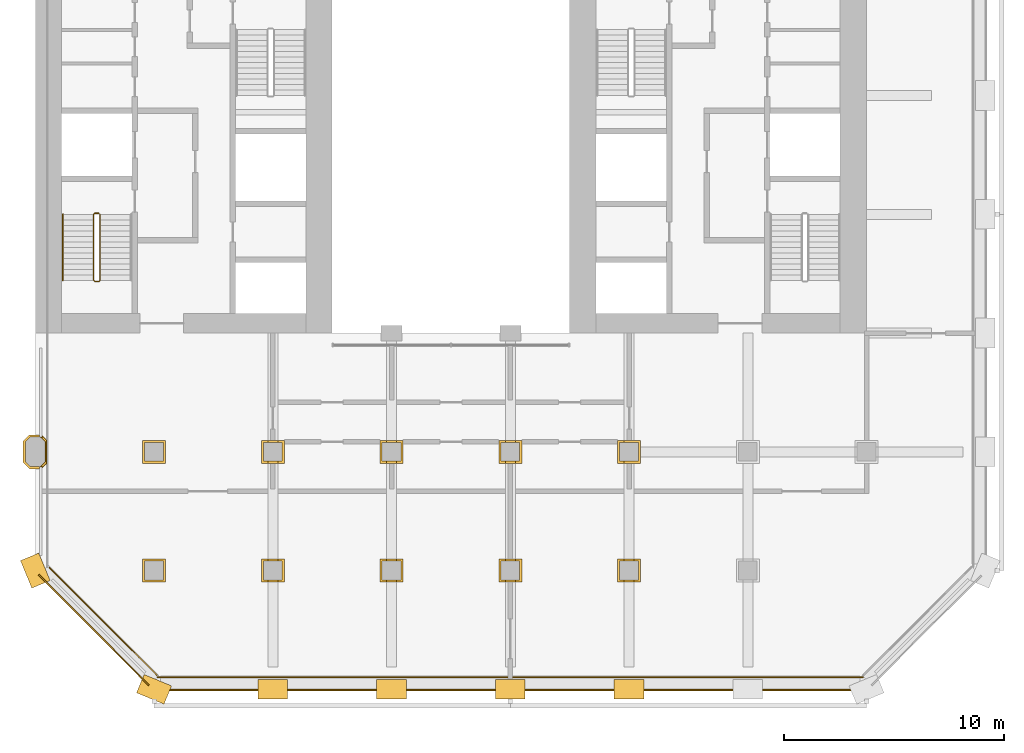
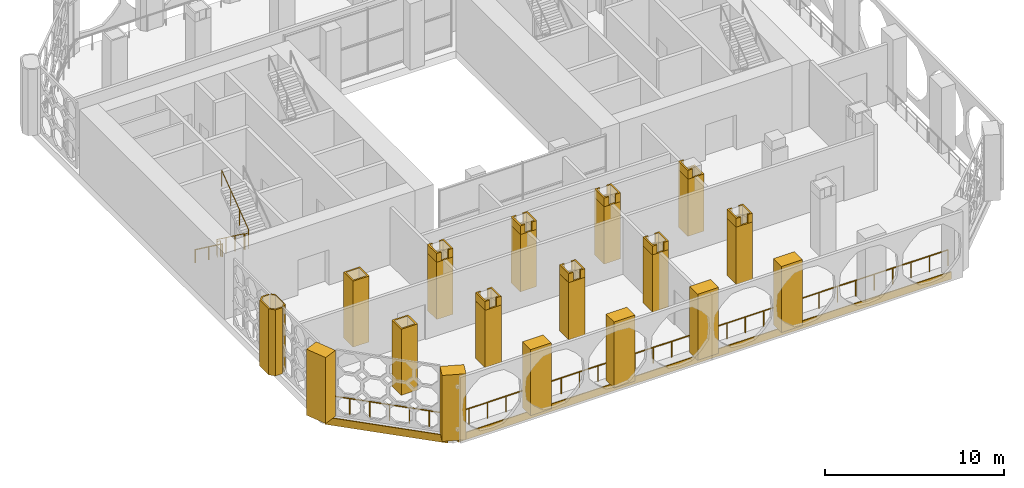
# One storey, part 11 of 14: 35 coverings, 4 railings.
"""IFC4 building model written with IfcOpenShell, lengths in metres."""

from ifc_helpers import new_model, si_unit, direction, frame, frame_2d, origin, origin_2d, place, context, subcontext, project, spatial, polyline, rectangle, circle, outline, extrude, material, layer, layer_set, type_object, element, save


model = new_model("IFC4")

# Units and contexts
model_context = context("Model", 3, precision=1e-05, world=origin(), true_north=direction((0.0, 1.0)))
body_context = subcontext(model_context, "Body", "Model", "MODEL_VIEW")
ifc_project = project(units=[si_unit("LENGTHUNIT", "METRE"), si_unit("AREAUNIT", "SQUARE_METRE"), si_unit("VOLUMEUNIT", "CUBIC_METRE"), si_unit("PLANEANGLEUNIT", "RADIAN"), si_unit("MASSUNIT", "GRAM", prefix="KILO")], contexts=[model_context])

# Site, building, storey
site_placement = place(None, origin())
site = spatial("IfcSite", under=ifc_project, at=site_placement, CompositionType="ELEMENT")
building_placement = place(site_placement, origin())
building = spatial("IfcBuilding", under=site, at=building_placement, Name="Tabaq Tower and Sports Hall", CompositionType="ELEMENT")
storey_placement = place(building_placement, frame((0.0, 0.0, 175.89990234375)))
storey = spatial("IfcBuildingStorey", under=building, at=storey_placement, Name="L42", CompositionType="ELEMENT", Elevation=175.89990234375)

# Coverings
ifc_material_1 = material(Name="Precast concrete C60/75", Category="concrete")
ifc_layer_1 = layer(ifc_material_1, 0.10009765625)
ifc_layer_set_1 = layer_set([ifc_layer_1], Name="Column cladding 100")
covering_type_1 = type_object("IfcCoveringType", Name="Column cladding 100", PredefinedType="CLADDING", material=ifc_layer_set_1)
covering_1_placement = place(storey_placement, origin())
element("IfcCovering", 1, at=covering_1_placement, inside=storey, type_object=covering_type_1, Name="Column cladding L42 PC-2C-H1", PredefinedType="CLADDING", context=body_context, shape_type="SweptSolid", body=[
    extrude(outline(polyline([(5.1337890625, 10.025390625), (4.850341796875, 10.30859375), (4.850341796875, 11.291259765625), (5.1337890625, 11.57470703125), (5.589599609375, 11.57470703125), (5.589599609375, 11.475341796875), (5.1748046875, 11.475341796875), (4.94970703125, 11.250244140625), (4.94970703125, 10.349853515625), (5.1748046875, 10.124755859375), (5.589599609375, 10.124755859375), (5.589599609375, 10.025390625), (5.1337890625, 10.025390625)])), origin(), (0.0, 0.0, 1.0), 4.5),
])
covering_2_placement = place(storey_placement, origin())
element("IfcCovering", 2, at=covering_2_placement, inside=storey, type_object=covering_type_1, Name="Column cladding L42 PC-2C-H1 2", PredefinedType="CLADDING", context=body_context, shape_type="SweptSolid", body=[
    extrude(outline(polyline([(5.90966796875, 11.331298828125), (5.90966796875, 10.268798828125), (5.710205078125, 10.0693359375), (5.710205078125, 10.125244140625), (5.625732421875, 10.125244140625), (5.850341796875, 10.349853515625), (5.850341796875, 11.250244140625), (5.625732421875, 11.474609375), (5.710205078125, 11.474609375), (5.710205078125, 11.53076171875), (5.90966796875, 11.331298828125)])), origin(), (0.0, 0.0, 1.0), 4.5),
])
covering_3_placement = place(storey_placement, origin())
element("IfcCovering", 3, at=covering_3_placement, inside=storey, type_object=covering_type_1, Name="Column cladding L42 CC-3B-H1", PredefinedType="CLADDING", context=body_context, shape_type="SweptSolid", body=[
    extrude(outline(polyline([(10.275390625, 5.9248046875), (11.32470703125, 5.9248046875), (11.32470703125, 4.875244140625), (10.275390625, 4.875244140625), (10.275390625, 5.9248046875)]), holes=[polyline([(11.225341796875, 4.974609375), (11.225341796875, 5.8251953125), (10.374755859375, 5.8251953125), (10.374755859375, 4.974609375), (11.225341796875, 4.974609375)])]), origin(), (0.0, 0.0, 1.0), 4.5),
])
covering_4_placement = place(storey_placement, origin())
element("IfcCovering", 4, at=covering_4_placement, inside=storey, type_object=covering_type_1, Name="Column cladding L42 CC-3C-H1", PredefinedType="CLADDING", context=body_context, shape_type="SweptSolid", body=[
    extrude(outline(polyline([(10.275390625, 11.32470703125), (11.32470703125, 11.32470703125), (11.32470703125, 10.275390625), (10.275390625, 10.275390625), (10.275390625, 11.32470703125)]), holes=[polyline([(11.225341796875, 10.374755859375), (11.225341796875, 11.225341796875), (10.374755859375, 11.225341796875), (10.374755859375, 10.374755859375), (11.225341796875, 10.374755859375)])]), origin(), (0.0, 0.0, 1.0), 4.5),
])
covering_5_placement = place(storey_placement, origin())
element("IfcCovering", 5, at=covering_5_placement, inside=storey, type_object=covering_type_1, Name="Column cladding L42 CC-4B-H1", PredefinedType="CLADDING", context=body_context, shape_type="SweptSolid", body=[
    extrude(outline(polyline([(15.67529296875, 5.9248046875), (16.724609375, 5.9248046875), (16.724609375, 4.875244140625), (15.67529296875, 4.875244140625), (15.67529296875, 5.9248046875)]), holes=[polyline([(16.625244140625, 4.974609375), (16.625244140625, 5.8251953125), (15.774658203125, 5.8251953125), (15.774658203125, 4.974609375), (16.625244140625, 4.974609375)])]), origin(), (0.0, 0.0, 1.0), 3.900146484375),
])
covering_6_placement = place(storey_placement, frame((0.0, 0.0, 3.900146484375)))
element("IfcCovering", 6, at=covering_6_placement, inside=storey, type_object=covering_type_1, Name="Column cladding L42 CC-4B-H1 head", PredefinedType="CLADDING", context=body_context, shape_type="SweptSolid", body=[
    extrude(outline(polyline([(16.425537109375, 4.974365234375), (16.62548828125, 4.974365234375), (16.62548828125, 5.82568359375), (16.425537109375, 5.82568359375), (16.425537109375, 5.92431640625), (16.724365234375, 5.92431640625), (16.724365234375, 4.87548828125), (16.425537109375, 4.87548828125), (16.425537109375, 4.974365234375)])), origin(), (0.0, 0.0, 1.0), 0.599853515625),
])
covering_7_placement = place(storey_placement, frame((0.0, 0.0, 3.900146484375)))
element("IfcCovering", 7, at=covering_7_placement, inside=storey, type_object=covering_type_1, Name="Column cladding L42 CC-4B-H1 head 2", PredefinedType="CLADDING", context=body_context, shape_type="SweptSolid", body=[
    extrude(outline(polyline([(15.974365234375, 4.974365234375), (15.974365234375, 4.87548828125), (15.675537109375, 4.87548828125), (15.675537109375, 5.92431640625), (15.974365234375, 5.92431640625), (15.974365234375, 5.82568359375), (15.7744140625, 5.82568359375), (15.7744140625, 4.974365234375), (15.974365234375, 4.974365234375)])), origin(), (0.0, 0.0, 1.0), 0.599853515625),
])
covering_8_placement = place(storey_placement, origin())
element("IfcCovering", 8, at=covering_8_placement, inside=storey, type_object=covering_type_1, Name="Column cladding L42 CC-4C-H1", PredefinedType="CLADDING", context=body_context, shape_type="SweptSolid", body=[
    extrude(outline(polyline([(15.67529296875, 11.32470703125), (16.724609375, 11.32470703125), (16.724609375, 10.275390625), (15.67529296875, 10.275390625), (15.67529296875, 11.32470703125)]), holes=[polyline([(16.625244140625, 10.374755859375), (16.625244140625, 11.225341796875), (15.774658203125, 11.225341796875), (15.774658203125, 10.374755859375), (16.625244140625, 10.374755859375)])]), origin(), (0.0, 0.0, 1.0), 3.900146484375),
])
covering_9_placement = place(storey_placement, frame((0.0, 0.0, 3.900146484375)))
element("IfcCovering", 9, at=covering_9_placement, inside=storey, type_object=covering_type_1, Name="Column cladding L42 CC-4C-H1 head", PredefinedType="CLADDING", context=body_context, shape_type="SweptSolid", body=[
    extrude(outline(polyline([(16.724609375, 11.32470703125), (16.724609375, 10.275390625), (16.42529296875, 10.275390625), (16.42529296875, 10.374755859375), (16.625244140625, 10.374755859375), (16.625244140625, 11.225341796875), (16.42529296875, 11.225341796875), (16.42529296875, 11.32470703125), (16.724609375, 11.32470703125)])), origin(), (0.0, 0.0, 1.0), 0.599853515625),
])
covering_10_placement = place(storey_placement, frame((0.0, 0.0, 3.900146484375)))
element("IfcCovering", 10, at=covering_10_placement, inside=storey, type_object=covering_type_1, Name="Column cladding L42 CC-4C-H1 head 2", PredefinedType="CLADDING", context=body_context, shape_type="SweptSolid", body=[
    extrude(outline(polyline([(15.974609375, 11.32470703125), (15.974609375, 11.225341796875), (15.774658203125, 11.225341796875), (15.774658203125, 10.374755859375), (15.974609375, 10.374755859375), (15.974609375, 10.275390625), (15.67529296875, 10.275390625), (15.67529296875, 11.32470703125), (15.974609375, 11.32470703125)])), origin(), (0.0, 0.0, 1.0), 0.599853515625),
])
covering_11_placement = place(storey_placement, origin())
element("IfcCovering", 11, at=covering_11_placement, inside=storey, type_object=covering_type_1, Name="Column cladding L42 CC-5B-H1", PredefinedType="CLADDING", context=body_context, shape_type="SweptSolid", body=[
    extrude(outline(polyline([(21.0751953125, 5.9248046875), (22.124755859375, 5.9248046875), (22.124755859375, 4.875244140625), (21.0751953125, 4.875244140625), (21.0751953125, 5.9248046875)]), holes=[polyline([(22.025390625, 4.974609375), (22.025390625, 5.8251953125), (21.1748046875, 5.8251953125), (21.1748046875, 4.974609375), (22.025390625, 4.974609375)])]), origin(), (0.0, 0.0, 1.0), 3.900146484375),
])
covering_12_placement = place(storey_placement, frame((0.0, 0.0, 3.900146484375)))
element("IfcCovering", 12, at=covering_12_placement, inside=storey, type_object=covering_type_1, Name="Column cladding L42 CC-5B-H1 head", PredefinedType="CLADDING", context=body_context, shape_type="SweptSolid", body=[
    extrude(outline(polyline([(21.82568359375, 4.974365234375), (22.025634765625, 4.974365234375), (22.025634765625, 5.82568359375), (21.82568359375, 5.82568359375), (21.82568359375, 5.92431640625), (22.12451171875, 5.92431640625), (22.12451171875, 4.87548828125), (21.82568359375, 4.87548828125), (21.82568359375, 4.974365234375)])), origin(), (0.0, 0.0, 1.0), 0.599853515625),
])
covering_13_placement = place(storey_placement, frame((0.0, 0.0, 3.900146484375)))
element("IfcCovering", 13, at=covering_13_placement, inside=storey, type_object=covering_type_1, Name="Column cladding L42 CC-5B-H1 head 2", PredefinedType="CLADDING", context=body_context, shape_type="SweptSolid", body=[
    extrude(outline(polyline([(21.37451171875, 4.974365234375), (21.37451171875, 4.87548828125), (21.07568359375, 4.87548828125), (21.07568359375, 5.92431640625), (21.37451171875, 5.92431640625), (21.37451171875, 5.82568359375), (21.17431640625, 5.82568359375), (21.17431640625, 4.974365234375), (21.37451171875, 4.974365234375)])), origin(), (0.0, 0.0, 1.0), 0.599853515625),
])
covering_14_placement = place(storey_placement, origin())
element("IfcCovering", 14, at=covering_14_placement, inside=storey, type_object=covering_type_1, Name="Column cladding L42 CC-5C-H1", PredefinedType="CLADDING", context=body_context, shape_type="SweptSolid", body=[
    extrude(outline(polyline([(21.0751953125, 11.32470703125), (22.124755859375, 11.32470703125), (22.124755859375, 10.275390625), (21.0751953125, 10.275390625), (21.0751953125, 11.32470703125)]), holes=[polyline([(22.025390625, 10.374755859375), (22.025390625, 11.225341796875), (21.1748046875, 11.225341796875), (21.1748046875, 10.374755859375), (22.025390625, 10.374755859375)])]), origin(), (0.0, 0.0, 1.0), 3.900146484375),
])
covering_15_placement = place(storey_placement, frame((0.0, 0.0, 3.900146484375)))
element("IfcCovering", 15, at=covering_15_placement, inside=storey, type_object=covering_type_1, Name="Column cladding L42 CC-5C-H1 head", PredefinedType="CLADDING", context=body_context, shape_type="SweptSolid", body=[
    extrude(outline(polyline([(21.374755859375, 11.32470703125), (21.374755859375, 11.225341796875), (21.1748046875, 11.225341796875), (21.1748046875, 10.374755859375), (21.374755859375, 10.374755859375), (21.374755859375, 10.275390625), (21.0751953125, 10.275390625), (21.0751953125, 11.32470703125), (21.374755859375, 11.32470703125)])), origin(), (0.0, 0.0, 1.0), 0.599853515625),
])
covering_16_placement = place(storey_placement, frame((0.0, 0.0, 3.900146484375)))
element("IfcCovering", 16, at=covering_16_placement, inside=storey, type_object=covering_type_1, Name="Column cladding L42 CC-5C-H1 head 2", PredefinedType="CLADDING", context=body_context, shape_type="SweptSolid", body=[
    extrude(outline(polyline([(22.124755859375, 11.32470703125), (22.124755859375, 10.275390625), (21.8251953125, 10.275390625), (21.8251953125, 10.374755859375), (22.025390625, 10.374755859375), (22.025390625, 11.225341796875), (21.8251953125, 11.225341796875), (21.8251953125, 11.32470703125), (22.124755859375, 11.32470703125)])), origin(), (0.0, 0.0, 1.0), 0.599853515625),
])
covering_17_placement = place(storey_placement, origin())
element("IfcCovering", 17, at=covering_17_placement, inside=storey, type_object=covering_type_1, Name="Column cladding L42 CC-6B-H1", PredefinedType="CLADDING", context=body_context, shape_type="SweptSolid", body=[
    extrude(outline(polyline([(26.475341796875, 5.9248046875), (27.524658203125, 5.9248046875), (27.524658203125, 4.875244140625), (26.475341796875, 4.875244140625), (26.475341796875, 5.9248046875)]), holes=[polyline([(27.42529296875, 4.974609375), (27.42529296875, 5.8251953125), (26.57470703125, 5.8251953125), (26.57470703125, 4.974609375), (27.42529296875, 4.974609375)])]), origin(), (0.0, 0.0, 1.0), 3.900146484375),
])
covering_18_placement = place(storey_placement, frame((0.0, 0.0, 3.900146484375)))
element("IfcCovering", 18, at=covering_18_placement, inside=storey, type_object=covering_type_1, Name="Column cladding L42 CC-6B-H1 head", PredefinedType="CLADDING", context=body_context, shape_type="SweptSolid", body=[
    extrude(outline(polyline([(27.2255859375, 4.974365234375), (27.425537109375, 4.974365234375), (27.425537109375, 5.82568359375), (27.2255859375, 5.82568359375), (27.2255859375, 5.92431640625), (27.5244140625, 5.92431640625), (27.5244140625, 4.87548828125), (27.2255859375, 4.87548828125), (27.2255859375, 4.974365234375)])), origin(), (0.0, 0.0, 1.0), 0.599853515625),
])
covering_19_placement = place(storey_placement, frame((0.0, 0.0, 3.900146484375)))
element("IfcCovering", 19, at=covering_19_placement, inside=storey, type_object=covering_type_1, Name="Column cladding L42 CC-6B-H1 head 2", PredefinedType="CLADDING", context=body_context, shape_type="SweptSolid", body=[
    extrude(outline(polyline([(26.7744140625, 4.974365234375), (26.7744140625, 4.87548828125), (26.4755859375, 4.87548828125), (26.4755859375, 5.92431640625), (26.7744140625, 5.92431640625), (26.7744140625, 5.82568359375), (26.574462890625, 5.82568359375), (26.574462890625, 4.974365234375), (26.7744140625, 4.974365234375)])), origin(), (0.0, 0.0, 1.0), 0.599853515625),
])
covering_20_placement = place(storey_placement, origin())
element("IfcCovering", 20, at=covering_20_placement, inside=storey, type_object=covering_type_1, Name="Column cladding L42 CC-6C-H1", PredefinedType="CLADDING", context=body_context, shape_type="SweptSolid", body=[
    extrude(outline(polyline([(26.475341796875, 11.32470703125), (27.524658203125, 11.32470703125), (27.524658203125, 10.275390625), (26.475341796875, 10.275390625), (26.475341796875, 11.32470703125)]), holes=[polyline([(27.42529296875, 10.374755859375), (27.42529296875, 11.225341796875), (26.57470703125, 11.225341796875), (26.57470703125, 10.374755859375), (27.42529296875, 10.374755859375)])]), origin(), (0.0, 0.0, 1.0), 3.900146484375),
])
covering_21_placement = place(storey_placement, frame((0.0, 0.0, 3.900146484375)))
element("IfcCovering", 21, at=covering_21_placement, inside=storey, type_object=covering_type_1, Name="Column cladding L42 CC-6C-H1 head", PredefinedType="CLADDING", context=body_context, shape_type="SweptSolid", body=[
    extrude(outline(polyline([(26.774658203125, 11.32470703125), (26.774658203125, 11.225341796875), (26.57470703125, 11.225341796875), (26.57470703125, 10.374755859375), (26.774658203125, 10.374755859375), (26.774658203125, 10.275390625), (26.475341796875, 10.275390625), (26.475341796875, 11.32470703125), (26.774658203125, 11.32470703125)])), origin(), (0.0, 0.0, 1.0), 0.599853515625),
])
covering_22_placement = place(storey_placement, frame((0.0, 0.0, 3.900146484375)))
element("IfcCovering", 22, at=covering_22_placement, inside=storey, type_object=covering_type_1, Name="Column cladding L42 CC-6C-H1 head 2", PredefinedType="CLADDING", context=body_context, shape_type="SweptSolid", body=[
    extrude(outline(polyline([(27.524658203125, 11.32470703125), (27.524658203125, 10.275390625), (27.225341796875, 10.275390625), (27.225341796875, 10.374755859375), (27.42529296875, 10.374755859375), (27.42529296875, 11.225341796875), (27.225341796875, 11.225341796875), (27.225341796875, 11.32470703125), (27.524658203125, 11.32470703125)])), origin(), (0.0, 0.0, 1.0), 0.599853515625),
])
covering_23_placement = place(storey_placement, origin())
element("IfcCovering", 23, at=covering_23_placement, inside=storey, type_object=covering_type_1, Name="Column cladding L42 CC-7B-H1", PredefinedType="CLADDING", context=body_context, shape_type="SweptSolid", body=[
    extrude(outline(polyline([(31.875244140625, 5.9248046875), (32.9248046875, 5.9248046875), (32.9248046875, 4.875244140625), (31.875244140625, 4.875244140625), (31.875244140625, 5.9248046875)]), holes=[polyline([(32.8251953125, 4.974609375), (32.8251953125, 5.8251953125), (31.974609375, 5.8251953125), (31.974609375, 4.974609375), (32.8251953125, 4.974609375)])]), origin(), (0.0, 0.0, 1.0), 3.900146484375),
])
covering_24_placement = place(storey_placement, frame((0.0, 0.0, 3.900146484375)))
element("IfcCovering", 24, at=covering_24_placement, inside=storey, type_object=covering_type_1, Name="Column cladding L42 CC-7B-H1 head", PredefinedType="CLADDING", context=body_context, shape_type="SweptSolid", body=[
    extrude(outline(polyline([(32.62548828125, 4.974365234375), (32.82568359375, 4.974365234375), (32.82568359375, 5.82568359375), (32.62548828125, 5.82568359375), (32.62548828125, 5.92431640625), (32.92431640625, 5.92431640625), (32.92431640625, 4.87548828125), (32.62548828125, 4.87548828125), (32.62548828125, 4.974365234375)])), origin(), (0.0, 0.0, 1.0), 0.599853515625),
])
covering_25_placement = place(storey_placement, frame((0.0, 0.0, 3.900146484375)))
element("IfcCovering", 25, at=covering_25_placement, inside=storey, type_object=covering_type_1, Name="Column cladding L42 CC-7B-H1 head 2", PredefinedType="CLADDING", context=body_context, shape_type="SweptSolid", body=[
    extrude(outline(polyline([(32.17431640625, 4.974365234375), (32.17431640625, 4.87548828125), (31.87548828125, 4.87548828125), (31.87548828125, 5.92431640625), (32.17431640625, 5.92431640625), (32.17431640625, 5.82568359375), (31.974365234375, 5.82568359375), (31.974365234375, 4.974365234375), (32.17431640625, 4.974365234375)])), origin(), (0.0, 0.0, 1.0), 0.599853515625),
])
covering_26_placement = place(storey_placement, origin())
element("IfcCovering", 26, at=covering_26_placement, inside=storey, type_object=covering_type_1, Name="Column cladding L42 CC-7C-H1", PredefinedType="CLADDING", context=body_context, shape_type="SweptSolid", body=[
    extrude(outline(polyline([(31.875244140625, 11.32470703125), (32.9248046875, 11.32470703125), (32.9248046875, 10.275390625), (31.875244140625, 10.275390625), (31.875244140625, 11.32470703125)]), holes=[polyline([(32.8251953125, 10.374755859375), (32.8251953125, 11.225341796875), (31.974609375, 11.225341796875), (31.974609375, 10.374755859375), (32.8251953125, 10.374755859375)])]), origin(), (0.0, 0.0, 1.0), 3.900146484375),
])
covering_27_placement = place(storey_placement, frame((0.0, 0.0, 3.900146484375)))
element("IfcCovering", 27, at=covering_27_placement, inside=storey, type_object=covering_type_1, Name="Column cladding L42 CC-7C-H1 head", PredefinedType="CLADDING", context=body_context, shape_type="SweptSolid", body=[
    extrude(outline(polyline([(32.1748046875, 11.32470703125), (32.1748046875, 11.225341796875), (31.974609375, 11.225341796875), (31.974609375, 10.374755859375), (32.1748046875, 10.374755859375), (32.1748046875, 10.275390625), (31.875244140625, 10.275390625), (31.875244140625, 11.32470703125), (32.1748046875, 11.32470703125)])), origin(), (0.0, 0.0, 1.0), 0.599853515625),
])
ifc_material_2 = material(Name="Precast concrete C60/75", Category="concrete")
ifc_layer_2 = layer(ifc_material_2, 0.06005859375)
ifc_layer_set_2 = layer_set([ifc_layer_2], Name="Edge beam cladding 60")
covering_type_2 = type_object("IfcCoveringType", Name="Edge beam cladding 60", PredefinedType="CLADDING", material=ifc_layer_set_2)
covering_28_placement = place(storey_placement, frame((11.0986328125, -0.030029296875, -0.5), z_axis=(0.0, 0.0, 1.0), x_axis=(1.0, 0.0, 0.0)))
element("IfcCovering", 28, at=covering_28_placement, inside=storey, type_object=covering_type_2, Name="Edge beam cladding L42 1", PredefinedType="CLADDING", context=body_context, shape_type="SweptSolid", body=[
    extrude(rectangle(XDim=31.802734375, YDim=0.06005859375, at=frame_2d((15.9013671875, 0.0))), origin(), (0.0, 0.0, 1.0), 0.5),
])
covering_29_placement = place(storey_placement, frame((5.5556640625, 5.201904296875, -0.5), z_axis=(0.0, 0.0, 1.0), x_axis=(0.707106781187, -0.707106781187, 0.0)))
element("IfcCovering", 29, at=covering_29_placement, inside=storey, type_object=covering_type_2, Name="Edge beam cladding L42 5", PredefinedType="CLADDING", context=body_context, shape_type="SweptSolid", body=[
    extrude(rectangle(XDim=7.087890625, YDim=0.06005859375, at=frame_2d((3.5439453125, 0.0))), origin(), (0.0, 0.0, 1.0), 0.5),
])

# Railings
ifc_material_3 = material(Name="Stainless steel S316 and laminated glass", Category="steel")
railing_type_1 = type_object("IfcRailingType", Name="Guard 1100 steel and glass", PredefinedType="GUARDRAIL", material=ifc_material_3)
railing_1_placement = place(storey_placement, frame((10.965576171875, 0.550048828125, 0.0)))
element("IfcRailing", 30, at=railing_1_placement, inside=storey, type_object=railing_type_1, Name="Guard L42 S", PredefinedType="GUARDRAIL", context=body_context, shape_type="SweptSolid", body=[
    extrude(circle(Radius=0.02490234375, at=origin_2d()), frame((0.0, 0.0, 1.0751953125), z_axis=(1.0, 0.0, 0.0), x_axis=(0.0, 1.0, 0.0)), (0.0, 0.0, 1.0), 32.06884765625),
    extrude(circle(Radius=0.02001953125, at=origin_2d()), origin(), (0.0, 0.0, 1.0), 1.050048828125),
    extrude(circle(Radius=0.02001953125, at=origin_2d()), frame((1.187744140625, 0.0, 0.0)), (0.0, 0.0, 1.0), 1.050048828125),
    extrude(circle(Radius=0.02001953125, at=origin_2d()), frame((2.37548828125, 0.0, 0.0)), (0.0, 0.0, 1.0), 1.050048828125),
    extrude(circle(Radius=0.02001953125, at=origin_2d()), frame((3.563232421875, 0.0, 0.0)), (0.0, 0.0, 1.0), 1.050048828125),
    extrude(circle(Radius=0.02001953125, at=origin_2d()), frame((4.7509765625, 0.0, 0.0)), (0.0, 0.0, 1.0), 1.050048828125),
    extrude(circle(Radius=0.02001953125, at=origin_2d()), frame((5.938720703125, 0.0, 0.0)), (0.0, 0.0, 1.0), 1.050048828125),
    extrude(circle(Radius=0.02001953125, at=origin_2d()), frame((7.12646484375, 0.0, 0.0)), (0.0, 0.0, 1.0), 1.050048828125),
    extrude(circle(Radius=0.02001953125, at=origin_2d()), frame((8.314208984375, 0.0, 0.0)), (0.0, 0.0, 1.0), 1.050048828125),
    extrude(circle(Radius=0.02001953125, at=origin_2d()), frame((9.501953125, 0.0, 0.0)), (0.0, 0.0, 1.0), 1.050048828125),
    extrude(circle(Radius=0.02001953125, at=origin_2d()), frame((10.689697265625, 0.0, 0.0)), (0.0, 0.0, 1.0), 1.050048828125),
    extrude(circle(Radius=0.02001953125, at=origin_2d()), frame((11.87744140625, 0.0, 0.0)), (0.0, 0.0, 1.0), 1.050048828125),
    extrude(circle(Radius=0.02001953125, at=origin_2d()), frame((13.065185546875, 0.0, 0.0)), (0.0, 0.0, 1.0), 1.050048828125),
    extrude(circle(Radius=0.02001953125, at=origin_2d()), frame((14.2529296875, 0.0, 0.0)), (0.0, 0.0, 1.0), 1.050048828125),
    extrude(circle(Radius=0.02001953125, at=origin_2d()), frame((15.440673828125, 0.0, 0.0)), (0.0, 0.0, 1.0), 1.050048828125),
    extrude(circle(Radius=0.02001953125, at=origin_2d()), frame((16.628173828125, 0.0, 0.0)), (0.0, 0.0, 1.0), 1.050048828125),
    extrude(circle(Radius=0.02001953125, at=origin_2d()), frame((17.81591796875, 0.0, 0.0)), (0.0, 0.0, 1.0), 1.050048828125),
    extrude(circle(Radius=0.02001953125, at=origin_2d()), frame((19.003662109375, 0.0, 0.0)), (0.0, 0.0, 1.0), 1.050048828125),
    extrude(circle(Radius=0.02001953125, at=origin_2d()), frame((20.19140625, 0.0, 0.0)), (0.0, 0.0, 1.0), 1.050048828125),
    extrude(circle(Radius=0.02001953125, at=origin_2d()), frame((21.379150390625, 0.0, 0.0)), (0.0, 0.0, 1.0), 1.050048828125),
    extrude(circle(Radius=0.02001953125, at=origin_2d()), frame((22.56689453125, 0.0, 0.0)), (0.0, 0.0, 1.0), 1.050048828125),
    extrude(circle(Radius=0.02001953125, at=origin_2d()), frame((23.754638671875, 0.0, 0.0)), (0.0, 0.0, 1.0), 1.050048828125),
    extrude(circle(Radius=0.02001953125, at=origin_2d()), frame((24.9423828125, 0.0, 0.0)), (0.0, 0.0, 1.0), 1.050048828125),
    extrude(circle(Radius=0.02001953125, at=origin_2d()), frame((26.130126953125, 0.0, 0.0)), (0.0, 0.0, 1.0), 1.050048828125),
    extrude(circle(Radius=0.02001953125, at=origin_2d()), frame((27.31787109375, 0.0, 0.0)), (0.0, 0.0, 1.0), 1.050048828125),
    extrude(circle(Radius=0.02001953125, at=origin_2d()), frame((28.505615234375, 0.0, 0.0)), (0.0, 0.0, 1.0), 1.050048828125),
    extrude(circle(Radius=0.02001953125, at=origin_2d()), frame((29.693359375, 0.0, 0.0)), (0.0, 0.0, 1.0), 1.050048828125),
    extrude(circle(Radius=0.02001953125, at=origin_2d()), frame((30.881103515625, 0.0, 0.0)), (0.0, 0.0, 1.0), 1.050048828125),
    extrude(circle(Radius=0.02001953125, at=origin_2d()), frame((32.06884765625, 0.0, 0.0)), (0.0, 0.0, 1.0), 1.050048828125),
])
railing_2_placement = place(storey_placement, frame((6.049072265625, 5.52880859375, 0.0)))
element("IfcRailing", 31, at=railing_2_placement, inside=storey, type_object=railing_type_1, Name="Guard L42 SW", PredefinedType="GUARDRAIL", context=body_context, shape_type="SweptSolid", body=[
    extrude(circle(Radius=0.02490234375, at=origin_2d()), frame((0.0, 0.0, 1.0751953125), z_axis=(0.70708909224, -0.70712446969, 0.0), x_axis=(0.70712446969, 0.70708909224, 0.0)), (0.0, 0.0, 1.0), 6.901123046875),
    extrude(circle(Radius=0.02001953125, at=origin_2d()), origin(), (0.0, 0.0, 1.0), 1.050048828125),
    extrude(circle(Radius=0.02001953125, at=origin_2d()), frame((0.813232421875, -0.813232421875, 0.0)), (0.0, 0.0, 1.0), 1.050048828125),
    extrude(circle(Radius=0.02001953125, at=origin_2d()), frame((1.62646484375, -1.626708984375, 0.0)), (0.0, 0.0, 1.0), 1.050048828125),
    extrude(circle(Radius=0.02001953125, at=origin_2d()), frame((2.43994140625, -2.43994140625, 0.0)), (0.0, 0.0, 1.0), 1.050048828125),
    extrude(circle(Radius=0.02001953125, at=origin_2d()), frame((3.253173828125, -3.253173828125, 0.0)), (0.0, 0.0, 1.0), 1.050048828125),
    extrude(circle(Radius=0.02001953125, at=origin_2d()), frame((4.06640625, -4.066650390625, 0.0)), (0.0, 0.0, 1.0), 1.050048828125),
    extrude(circle(Radius=0.02001953125, at=origin_2d()), frame((4.879638671875, -4.8798828125, 0.0)), (0.0, 0.0, 1.0), 1.050048828125),
])

# Coverings
ifc_material_4 = material(Name="White precast concrete C60/75", Category="concrete")
covering_type_3 = type_object("IfcCoveringType", Name="Pier cladding hung 1350x900", PredefinedType="CLADDING", material=ifc_material_4)
for number, where, z_axis, x_axis, name in (
    (32, (5.1416015625, 6.023681640625, 0.0), (0.0, 0.0, 1.0), (0.382649923473, -0.923893411637, 0.0), "Hung pier cladding 1/1"),
    (33, (10.17626953125, 0.25830078125, 0.0), (0.0, 0.0, 1.0), (0.923893411637, -0.382649923473, 0.0), "Hung pier cladding 2/0"),
    (34, (15.52490234375, 0.0, 0.0), (0.0, 0.0, 1.0), (1.0, 0.0, 0.0), "Hung pier cladding 3/0"),
):
    element("IfcCovering", number, at=place(storey_placement, frame(where, z_axis=z_axis, x_axis=x_axis)), inside=storey, type_object=covering_type_3, Name=name, PredefinedType="CLADDING", context=body_context, shape_type="SweptSolid", body=[
        extrude(rectangle(XDim=1.35009765625, YDim=0.89990234375, at=frame_2d((0.675048828125, 0.0))), origin(), (0.0, 0.0, 1.0), 4.5),
    ])
covering_30_placement = place(storey_placement, frame((20.925048828125, 0.0, 0.0), z_axis=(0.0, 0.0, 1.0), x_axis=(1.0, 0.0, 0.0)))
element("IfcCovering", 35, at=covering_30_placement, inside=storey, type_object=covering_type_3, Name="Hung pier cladding 4/0", PredefinedType="CLADDING", context=body_context, shape_type="SweptSolid", body=[
    extrude(rectangle(XDim=1.349853515625, YDim=0.89990234375, at=frame_2d((0.6748046875, 0.0))), origin(), (0.0, 0.0, 1.0), 4.5),
])
covering_31_placement = place(storey_placement, frame((26.324951171875, 0.0, 0.0), z_axis=(0.0, 0.0, 1.0), x_axis=(1.0, 0.0, 0.0)))
element("IfcCovering", 36, at=covering_31_placement, inside=storey, type_object=covering_type_3, Name="Hung pier cladding 5/0", PredefinedType="CLADDING", context=body_context, shape_type="SweptSolid", body=[
    extrude(rectangle(XDim=1.35009765625, YDim=0.89990234375, at=frame_2d((0.675048828125, 0.0))), origin(), (0.0, 0.0, 1.0), 4.5),
])
covering_32_placement = place(storey_placement, frame((31.72509765625, 0.0, 0.0), z_axis=(0.0, 0.0, 1.0), x_axis=(1.0, 0.0, 0.0)))
element("IfcCovering", 37, at=covering_32_placement, inside=storey, type_object=covering_type_3, Name="Hung pier cladding 6/0", PredefinedType="CLADDING", context=body_context, shape_type="SweptSolid", body=[
    extrude(rectangle(XDim=1.349853515625, YDim=0.89990234375, at=frame_2d((0.6748046875, 0.0))), origin(), (0.0, 0.0, 1.0), 4.5),
])

# Railings
ifc_material_5 = material(Name="Stainless steel", Category="steel")
railing_type_2 = type_object("IfcRailingType", Name="Stair guard", PredefinedType="GUARDRAIL", material=ifc_material_5)
railing_3_placement = place(storey_placement, frame((8.300048828125, 21.64990234375, 0.0)))
element("IfcRailing", 38, at=railing_3_placement, inside=storey, type_object=railing_type_2, Name="L42 ST1 stair guard 1", PredefinedType="GUARDRAIL", context=body_context, shape_type="SweptSolid", body=[
    extrude(circle(Radius=0.02392578125, at=origin_2d()), frame((0.0, 0.0, 1.076171875), z_axis=(-1.0, 0.0, 0.0), x_axis=(0.0, -1.0, 0.0)), (0.0, 0.0, 1.0), 0.199951171875),
    extrude(circle(Radius=0.02392578125, at=origin_2d()), frame((-0.199951171875, 0.0, 1.076171875), z_axis=(-0.252972702061, -0.251738688881, 0.934147977856), x_axis=(0.705375805398, -0.708833529934, 0.0)), (0.0, 0.0, 1.0), 0.19775390625),
    extrude(circle(Radius=0.02392578125, at=origin_2d()), frame((-0.25, -0.0498046875, 1.2607421875), z_axis=(0.0, -0.804440004972, 0.594033903411), x_axis=(1.0, 0.0, 0.0)), (0.0, 0.0, 1.0), 3.729248046875),
    extrude(circle(Radius=0.02392578125, at=origin_2d()), frame((-0.25, -3.0498046875, 3.47607421875), z_axis=(0.707106781187, -0.707106781187, 0.0), x_axis=(0.707106781187, 0.707106781187, 0.0)), (0.0, 0.0, 1.0), 0.07080078125),
    extrude(circle(Radius=0.02392578125, at=origin_2d()), frame((-0.199951171875, -3.099853515625, 3.47607421875), z_axis=(1.0, 0.0, 0.0), x_axis=(0.0, 1.0, 0.0)), (0.0, 0.0, 1.0), 0.199951171875),
    extrude(circle(Radius=0.02392578125, at=origin_2d()), frame((0.0, -3.099853515625, 3.47607421875), z_axis=(0.253185614162, 0.253185614162, 0.933699142959), x_axis=(-0.707106781187, 0.707106781187, 0.0)), (0.0, 0.0, 1.0), 0.19775390625),
    extrude(circle(Radius=0.02392578125, at=origin_2d()), frame((0.050048828125, -3.0498046875, 3.66064453125), z_axis=(0.0, 0.804440004972, 0.594033903411), x_axis=(-1.0, 0.0, 0.0)), (0.0, 0.0, 1.0), 3.729248046875),
    extrude(circle(Radius=0.02099609375, at=origin_2d()), origin(), (0.0, 0.0, 1.0), 1.052001953125),
    extrude(circle(Radius=0.02099609375, at=origin_2d()), frame((-0.199951171875, 0.0, 0.0)), (0.0, 0.0, 1.0), 1.052001953125),
    extrude(circle(Radius=0.02099609375, at=origin_2d()), frame((-0.25, -0.0498046875, 0.184814453125)), (0.0, 0.0, 1.0), 1.052001953125),
    extrude(circle(Radius=0.02099609375, at=origin_2d()), frame((-0.25, -1.0498046875, 0.92333984375)), (0.0, 0.0, 1.0), 1.052001953125),
    extrude(circle(Radius=0.02099609375, at=origin_2d()), frame((-0.25, -2.0498046875, 1.66162109375)), (0.0, 0.0, 1.0), 1.052001953125),
    extrude(circle(Radius=0.02099609375, at=origin_2d()), frame((-0.25, -3.0498046875, 2.400146484375)), (0.0, 0.0, 1.0), 1.052001953125),
    extrude(circle(Radius=0.02099609375, at=origin_2d()), frame((-0.199951171875, -3.099853515625, 2.400146484375)), (0.0, 0.0, 1.0), 1.052001953125),
    extrude(circle(Radius=0.02099609375, at=origin_2d()), frame((0.0, -3.099853515625, 2.400146484375)), (0.0, 0.0, 1.0), 1.052001953125),
    extrude(circle(Radius=0.02099609375, at=origin_2d()), frame((0.050048828125, -3.0498046875, 2.584716796875)), (0.0, 0.0, 1.0), 1.052001953125),
    extrude(circle(Radius=0.02099609375, at=origin_2d()), frame((0.050048828125, -2.0498046875, 3.3232421875)), (0.0, 0.0, 1.0), 1.052001953125),
    extrude(circle(Radius=0.02099609375, at=origin_2d()), frame((0.050048828125, -1.0498046875, 4.0615234375)), (0.0, 0.0, 1.0), 1.052001953125),
    extrude(circle(Radius=0.02099609375, at=origin_2d()), frame((0.050048828125, -0.0498046875, 4.800048828125)), (0.0, 0.0, 1.0), 1.052001953125),
])
ifc_material_6 = material(Name="Stainless steel", Category="steel")
railing_type_3 = type_object("IfcRailingType", Name="Stair handrail", PredefinedType="HANDRAIL", material=ifc_material_6)
railing_4_placement = place(storey_placement, frame((6.64990234375, 21.60009765625, 0.184814453125)))
element("IfcRailing", 39, at=railing_4_placement, inside=storey, type_object=railing_type_3, Name="L42 ST1 stair handrail 1", PredefinedType="HANDRAIL", context=body_context, shape_type="SweptSolid", body=[
    extrude(circle(Radius=0.02392578125, at=origin_2d()), frame((0.0, 0.0, 0.8759765625), z_axis=(0.0, -0.804440004972, 0.594033903411), x_axis=(1.0, 0.0, 0.0)), (0.0, 0.0, 1.0), 3.729248046875),
    extrude(circle(Radius=0.02099609375, at=origin_2d()), origin(), (0.0, 0.0, 1.0), 0.851806640625),
    extrude(circle(Radius=0.02099609375, at=origin_2d()), frame((0.0, -1.5, 1.107666015625)), (0.0, 0.0, 1.0), 0.851806640625),
    extrude(circle(Radius=0.02099609375, at=origin_2d()), frame((0.0, -3.0, 2.21533203125)), (0.0, 0.0, 1.0), 0.851806640625),
])

save(model, "model.ifc")
